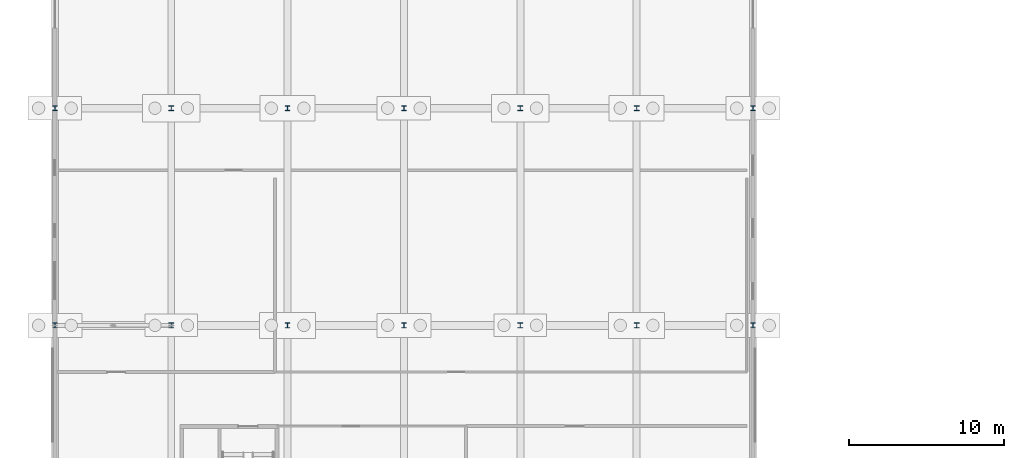
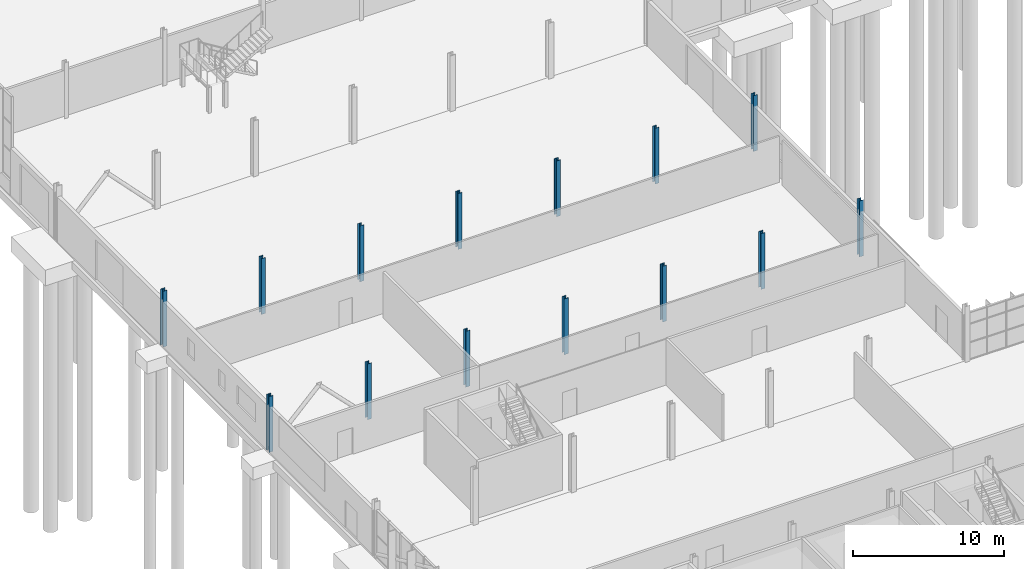
# One storey, part 12 of 136: 14 columns.
"""IFC4 building model written with IfcOpenShell, lengths in metres."""

from ifc_helpers import new_model, si_unit, direction, frame, origin, origin_2d, place, context, subcontext, project, spatial, i_section, extrude, material, material_profile, profile_set, type_object, element, save


model = new_model("IFC4")

# Units and contexts
model_context = context("Model", 3, precision=1e-05, world=origin(), true_north=direction((0.0, 1.0)))
body_context = subcontext(model_context, "Body", "Model", "MODEL_VIEW")
ifc_project = project(units=[si_unit("LENGTHUNIT", "METRE"), si_unit("AREAUNIT", "SQUARE_METRE"), si_unit("VOLUMEUNIT", "CUBIC_METRE"), si_unit("PLANEANGLEUNIT", "RADIAN"), si_unit("MASSUNIT", "GRAM", prefix="KILO")], contexts=[model_context])

# Site, building, storey
site_placement = place(None, origin())
site = spatial("IfcSite", under=ifc_project, at=site_placement, CompositionType="ELEMENT")
building_placement = place(site_placement, origin())
building = spatial("IfcBuilding", under=site, at=building_placement, Name="Solvenia Promenade Tram Depot", CompositionType="ELEMENT")
storey_placement = place(building_placement, origin())
storey = spatial("IfcBuildingStorey", under=building, at=storey_placement, Name="L00", CompositionType="ELEMENT", Elevation=0.0)

# Columns
ifc_material = material(Name="Structural steel ASTM A992 Gr. 50", Category="steel")
ifc_material_profile = material_profile(ifc_material, i_section(OverallWidth=0.30908203125, OverallDepth=0.322998046875, WebThickness=0.013916015625, FlangeThickness=0.02294921875, FilletRadius=0.014892578125, at=origin_2d()), Name="W310x143", Category="steel")
ifc_profile_set = profile_set([ifc_material_profile], Name="Structural steel ASTM A992 Gr. 50")
column_type = type_object("IfcColumnType", Name="Col-W310x143", PredefinedType="COLUMN", material=ifc_profile_set)
for number, where, z_axis, x_axis, name in (
    (1, (0.0, 38.0, 0.0), (0.0, 0.0, 1.0), (1.0, 0.0, 0.0), "Steel Column COL-L00-007"),
    (2, (0.0, 52.0, 0.0), (0.0, 0.0, 1.0), (1.0, 0.0, 0.0), "Steel Column COL-L00-009"),
    (3, (7.5, 38.0, 0.0), (0.0, 0.0, 1.0), (1.0, 0.0, 0.0), "Steel Column COL-L00-025"),
    (4, (7.5, 52.0, 0.0), (0.0, 0.0, 1.0), (1.0, 0.0, 0.0), "Steel Column COL-L00-027"),
    (5, (15.0, 38.0, 0.0), (0.0, 0.0, 1.0), (1.0, 0.0, 0.0), "Steel Column COL-L00-043"),
    (6, (15.0, 52.0, 0.0), (0.0, 0.0, 1.0), (1.0, 0.0, 0.0), "Steel Column COL-L00-045"),
    (7, (22.5, 38.0, 0.0), (0.0, 0.0, 1.0), (1.0, 0.0, 0.0), "Steel Column COL-L00-061"),
    (8, (22.5, 52.0, 0.0), (0.0, 0.0, 1.0), (1.0, 0.0, 0.0), "Steel Column COL-L00-063"),
    (9, (30.0, 38.0, 0.0), (0.0, 0.0, 1.0), (1.0, 0.0, 0.0), "Steel Column COL-L00-079"),
    (10, (30.0, 52.0, 0.0), (0.0, 0.0, 1.0), (1.0, 0.0, 0.0), "Steel Column COL-L00-081"),
    (11, (37.5, 38.0, 0.0), (0.0, 0.0, 1.0), (1.0, 0.0, 0.0), "Steel Column COL-L00-097"),
    (12, (37.5, 52.0, 0.0), (0.0, 0.0, 1.0), (1.0, 0.0, 0.0), "Steel Column COL-L00-099"),
    (13, (45.0, 38.0, 0.0), (0.0, 0.0, 1.0), (1.0, 0.0, 0.0), "Steel Column COL-L00-115"),
    (14, (45.0, 52.0, 0.0), (0.0, 0.0, 1.0), (1.0, 0.0, 0.0), "Steel Column COL-L00-117"),
):
    element("IfcColumn", number, at=place(storey_placement, frame(where, z_axis=z_axis, x_axis=x_axis)), inside=storey, type_object=column_type, Name=name, PredefinedType="COLUMN", context=body_context, shape_type="SweptSolid", body=[
        extrude(i_section(OverallWidth=0.30908203125, OverallDepth=0.322998046875, WebThickness=0.013916015625, FlangeThickness=0.02294921875, FilletRadius=0.014892578125, at=origin_2d()), origin(), (0.0, 0.0, 1.0), 4.5),
    ])

save(model, "model.ifc")
